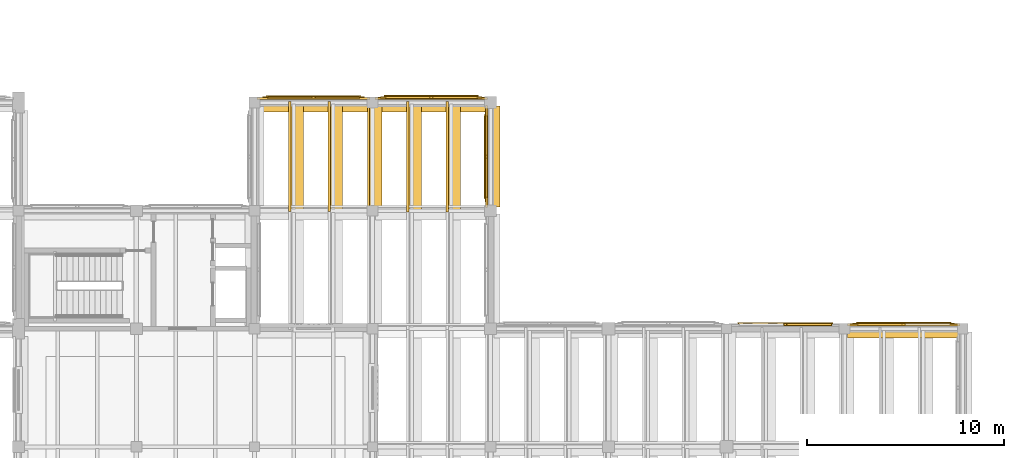
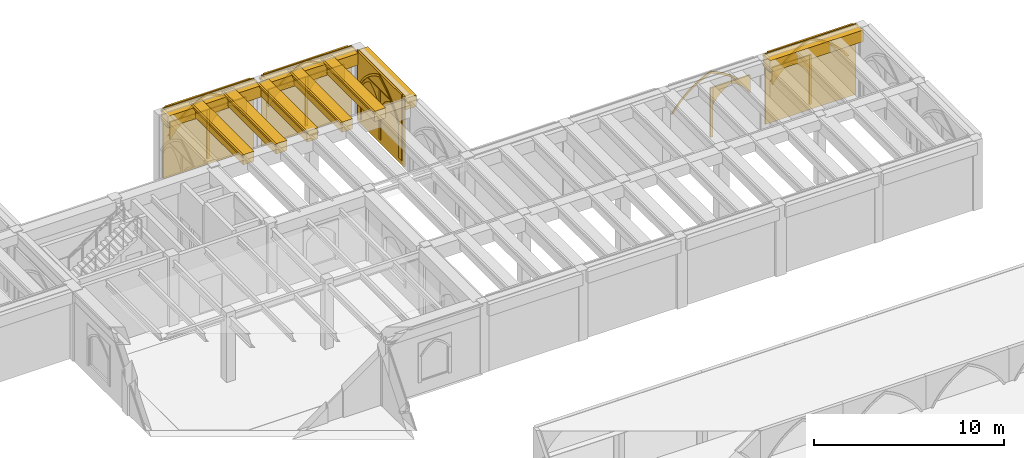
# One storey, part 126 of 127: 44 coverings.
"""IFC4 building model written with IfcOpenShell, lengths in metres."""

from ifc_helpers import new_model, si_unit, direction, frame, origin, origin_2d, place, context, subcontext, project, spatial, polyline, rectangle, outline, extrude, material, type_object, element, save


model = new_model("IFC4")

# Units and contexts
model_context = context("Model", 3, precision=1e-05, world=origin(), true_north=direction((0.0, 1.0)))
body_context = subcontext(model_context, "Body", "Model", "MODEL_VIEW")
ifc_project = project(units=[si_unit("LENGTHUNIT", "METRE"), si_unit("AREAUNIT", "SQUARE_METRE"), si_unit("VOLUMEUNIT", "CUBIC_METRE"), si_unit("PLANEANGLEUNIT", "RADIAN"), si_unit("MASSUNIT", "GRAM", prefix="KILO")], contexts=[model_context])

# Site, building, storey
site_placement = place(None, origin())
site = spatial("IfcSite", under=ifc_project, at=site_placement, CompositionType="ELEMENT")
building_placement = place(site_placement, origin())
building = spatial("IfcBuilding", under=site, at=building_placement, Name="Cumevento Cable Car Station", CompositionType="ELEMENT")
storey_placement = place(building_placement, frame((0.0, 0.0, 4.5)))
storey = spatial("IfcBuildingStorey", under=building, at=storey_placement, Name="L02", CompositionType="ELEMENT", Elevation=4.5)

# Coverings
ifc_material = material(Name="Gnaisse Facoidal Stone Ashlar 85 MPa", Category="masonry")
covering_type = type_object("IfcCoveringType", Name="Gnaisse Ashlar Cladding CV-CL01", PredefinedType="CLADDING", material=ifc_material)
covering_1_placement = place(storey_placement, frame((163.0, 44.85009765625, 3.722900390625), z_axis=(0.0, 0.0, 1.0), x_axis=(1.0, 0.0, 0.0)))
element("IfcCovering", 1, at=covering_1_placement, inside=storey, type_object=covering_type, Name="Gothic Stone Spandrel Stringcourse sc:0469", PredefinedType="CLADDING", context=body_context, shape_type="SweptSolid", body=[
    extrude(rectangle(XDim=5.68994140625, YDim=0.659912109375, at=origin_2d()), origin(), (0.0, 0.0, 1.0), 0.7470703125),
])
covering_2_placement = place(storey_placement, frame((163.0, 45.20751953125, 4.340087890625), z_axis=(0.0, 0.0, 1.0), x_axis=(1.0, 0.0, 0.0)))
element("IfcCovering", 2, at=covering_2_placement, inside=storey, type_object=covering_type, Name="Gothic Cornice Dripstone Lip sc:0469", PredefinedType="CLADDING", context=body_context, shape_type="SweptSolid", body=[
    extrude(rectangle(XDim=5.72998046875, YDim=0.114990234375, at=origin_2d()), origin(), (0.0, 0.0, 1.0), 0.1298828125),
])
covering_3_placement = place(storey_placement, frame((133.0, 56.35009765625, 3.682861328125), z_axis=(0.0, 0.0, 1.0), x_axis=(1.0, 0.0, 0.0)))
element("IfcCovering", 3, at=covering_3_placement, inside=storey, type_object=covering_type, Name="Gothic Stone Spandrel Stringcourse sc:0485", PredefinedType="CLADDING", context=body_context, shape_type="SweptSolid", body=[
    extrude(rectangle(XDim=5.68994140625, YDim=0.659912109375, at=origin_2d()), origin(), (0.0, 0.0, 1.0), 0.7470703125),
])
covering_4_placement = place(storey_placement, frame((133.0, 56.70751953125, 4.300048828125), z_axis=(0.0, 0.0, 1.0), x_axis=(1.0, 0.0, 0.0)))
element("IfcCovering", 4, at=covering_4_placement, inside=storey, type_object=covering_type, Name="Gothic Cornice Dripstone Lip sc:0485", PredefinedType="CLADDING", context=body_context, shape_type="SweptSolid", body=[
    extrude(rectangle(XDim=5.72998046875, YDim=0.114990234375, at=origin_2d()), origin(), (0.0, 0.0, 1.0), 0.1298828125),
])
covering_5_placement = place(storey_placement, frame((138.987548828125, 56.35009765625, 3.682861328125), z_axis=(0.0, 0.0, 1.0), x_axis=(1.0, 0.0, 0.0)))
element("IfcCovering", 5, at=covering_5_placement, inside=storey, type_object=covering_type, Name="Gothic Stone Spandrel Stringcourse sc:0486", PredefinedType="CLADDING", context=body_context, shape_type="SweptSolid", body=[
    extrude(rectangle(XDim=5.6650390625, YDim=0.659912109375, at=origin_2d()), origin(), (0.0, 0.0, 1.0), 0.7470703125),
])
covering_6_placement = place(storey_placement, frame((138.987548828125, 56.70751953125, 4.300048828125), z_axis=(0.0, 0.0, 1.0), x_axis=(1.0, 0.0, 0.0)))
element("IfcCovering", 6, at=covering_6_placement, inside=storey, type_object=covering_type, Name="Gothic Cornice Dripstone Lip sc:0486", PredefinedType="CLADDING", context=body_context, shape_type="SweptSolid", body=[
    extrude(rectangle(XDim=5.705078125, YDim=0.114990234375, at=origin_2d()), origin(), (0.0, 0.0, 1.0), 0.1298828125),
])
covering_7_placement = place(storey_placement, frame((136.148681640625, 53.75, 3.73583984375), z_axis=(0.0, 0.0, 1.0), x_axis=(0.0, 1.0, 0.0)))
element("IfcCovering", 7, at=covering_7_placement, inside=storey, type_object=covering_type, Name="Gothic Stone Spandrel Stringcourse sc:0489", PredefinedType="CLADDING", context=body_context, shape_type="SweptSolid", body=[
    extrude(rectangle(XDim=5.18994140625, YDim=0.66259765625, at=origin_2d()), origin(), (0.0, 0.0, 1.0), 0.694091796875),
])
covering_8_placement = place(storey_placement, frame((135.7900390625, 53.75, 4.300048828125), z_axis=(0.0, 0.0, 1.0), x_axis=(0.0, 1.0, 0.0)))
element("IfcCovering", 8, at=covering_8_placement, inside=storey, type_object=covering_type, Name="Gothic Cornice Dripstone Lip sc:0489", PredefinedType="CLADDING", context=body_context, shape_type="SweptSolid", body=[
    extrude(rectangle(XDim=5.22998046875, YDim=0.114990234375, at=origin_2d()), origin(), (0.0, 0.0, 1.0), 0.1298828125),
])
covering_9_placement = place(storey_placement, frame((142.14990234375, 53.75, 3.682861328125), z_axis=(0.0, 0.0, 1.0), x_axis=(0.0, 1.0, 0.0)))
element("IfcCovering", 9, at=covering_9_placement, inside=storey, type_object=covering_type, Name="Gothic Stone Spandrel Stringcourse sc:0491", PredefinedType="CLADDING", context=body_context, shape_type="SweptSolid", body=[
    extrude(rectangle(XDim=5.139892578125, YDim=0.659912109375, at=origin_2d()), origin(), (0.0, 0.0, 1.0), 0.7470703125),
])
covering_10_placement = place(storey_placement, frame((141.79248046875, 53.75, 4.300048828125), z_axis=(0.0, 0.0, 1.0), x_axis=(0.0, 1.0, 0.0)))
element("IfcCovering", 10, at=covering_10_placement, inside=storey, type_object=covering_type, Name="Gothic Cornice Dripstone Lip sc:0491", PredefinedType="CLADDING", context=body_context, shape_type="SweptSolid", body=[
    extrude(rectangle(XDim=5.179931640625, YDim=0.114990234375, at=origin_2d()), origin(), (0.0, 0.0, 1.0), 0.1298828125),
])
covering_11_placement = place(storey_placement, frame((132.14990234375, 53.75830078125, 3.77294921875), z_axis=(0.0, 0.0, 1.0), x_axis=(0.0, 1.0, 0.0)))
element("IfcCovering", 11, at=covering_11_placement, inside=storey, type_object=covering_type, Name="Gothic Stone Spandrel Stringcourse sc:0573", PredefinedType="CLADDING", context=body_context, shape_type="SweptSolid", body=[
    extrude(rectangle(XDim=5.569580078125, YDim=0.659912109375, at=origin_2d()), origin(), (0.0, 0.0, 1.0), 0.656982421875),
])
covering_12_placement = place(storey_placement, frame((131.79248046875, 53.75830078125, 4.300048828125), z_axis=(0.0, 0.0, 1.0), x_axis=(0.0, 1.0, 0.0)))
element("IfcCovering", 12, at=covering_12_placement, inside=storey, type_object=covering_type, Name="Gothic Cornice Dripstone Lip sc:0573", PredefinedType="CLADDING", context=body_context, shape_type="SweptSolid", body=[
    extrude(rectangle(XDim=5.609619140625, YDim=0.114990234375, at=origin_2d()), origin(), (0.0, 0.0, 1.0), 0.1298828125),
])
covering_13_placement = place(storey_placement, frame((134.14990234375, 53.75830078125, 3.77294921875), z_axis=(0.0, 0.0, 1.0), x_axis=(0.0, 1.0, 0.0)))
element("IfcCovering", 13, at=covering_13_placement, inside=storey, type_object=covering_type, Name="Gothic Stone Spandrel Stringcourse sc:0575", PredefinedType="CLADDING", context=body_context, shape_type="SweptSolid", body=[
    extrude(rectangle(XDim=5.569580078125, YDim=0.659912109375, at=origin_2d()), origin(), (0.0, 0.0, 1.0), 0.656982421875),
])
covering_14_placement = place(storey_placement, frame((133.79248046875, 53.75830078125, 4.300048828125), z_axis=(0.0, 0.0, 1.0), x_axis=(0.0, 1.0, 0.0)))
element("IfcCovering", 14, at=covering_14_placement, inside=storey, type_object=covering_type, Name="Gothic Cornice Dripstone Lip sc:0575", PredefinedType="CLADDING", context=body_context, shape_type="SweptSolid", body=[
    extrude(rectangle(XDim=5.609619140625, YDim=0.114990234375, at=origin_2d()), origin(), (0.0, 0.0, 1.0), 0.1298828125),
])
covering_15_placement = place(storey_placement, frame((138.14990234375, 53.7529296875, 3.77294921875), z_axis=(0.0, 0.0, 1.0), x_axis=(0.0, 1.0, 0.0)))
element("IfcCovering", 15, at=covering_15_placement, inside=storey, type_object=covering_type, Name="Gothic Stone Spandrel Stringcourse sc:0577", PredefinedType="CLADDING", context=body_context, shape_type="SweptSolid", body=[
    extrude(rectangle(XDim=5.580078125, YDim=0.659912109375, at=origin_2d()), origin(), (0.0, 0.0, 1.0), 0.656982421875),
])
covering_16_placement = place(storey_placement, frame((137.79248046875, 53.7529296875, 4.300048828125), z_axis=(0.0, 0.0, 1.0), x_axis=(0.0, 1.0, 0.0)))
element("IfcCovering", 16, at=covering_16_placement, inside=storey, type_object=covering_type, Name="Gothic Cornice Dripstone Lip sc:0577", PredefinedType="CLADDING", context=body_context, shape_type="SweptSolid", body=[
    extrude(rectangle(XDim=5.6201171875, YDim=0.114990234375, at=origin_2d()), origin(), (0.0, 0.0, 1.0), 0.1298828125),
])
covering_17_placement = place(storey_placement, frame((140.14990234375, 53.7529296875, 3.77294921875), z_axis=(0.0, 0.0, 1.0), x_axis=(0.0, 1.0, 0.0)))
element("IfcCovering", 17, at=covering_17_placement, inside=storey, type_object=covering_type, Name="Gothic Stone Spandrel Stringcourse sc:0579", PredefinedType="CLADDING", context=body_context, shape_type="SweptSolid", body=[
    extrude(rectangle(XDim=5.580078125, YDim=0.659912109375, at=origin_2d()), origin(), (0.0, 0.0, 1.0), 0.656982421875),
])
covering_18_placement = place(storey_placement, frame((139.79248046875, 53.7529296875, 4.300048828125), z_axis=(0.0, 0.0, 1.0), x_axis=(0.0, 1.0, 0.0)))
element("IfcCovering", 18, at=covering_18_placement, inside=storey, type_object=covering_type, Name="Gothic Cornice Dripstone Lip sc:0579", PredefinedType="CLADDING", context=body_context, shape_type="SweptSolid", body=[
    extrude(rectangle(XDim=5.6201171875, YDim=0.114990234375, at=origin_2d()), origin(), (0.0, 0.0, 1.0), 0.1298828125),
])
covering_19_placement = place(storey_placement, frame((154.429931640625, 45.0, 2.52001953125), z_axis=(0.0, 0.0, 1.0), x_axis=(1.0, 0.0, 0.0)))
element("IfcCovering", 19, at=covering_19_placement, inside=storey, type_object=covering_type, Name="Gothic Pointed Archivolt Hood Moulding blind_ogival:0096", PredefinedType="CLADDING", context=body_context, shape_type="SweptSolid", body=[
    extrude(outline(polyline([(0.260009765625, 0.0), (0.51416015625, 0.338623046875), (0.797119140625, 0.653564453125), (1.106201171875, 0.94287109375), (1.439697265625, 1.203857421875), (1.79443359375, 1.434814453125), (2.16796875, 1.634033203125), (2.5576171875, 1.800048828125), (2.947021484375, 1.634033203125), (3.320556640625, 1.434814453125), (3.67529296875, 1.203857421875), (4.0087890625, 0.94287109375), (4.31787109375, 0.653564453125), (4.600830078125, 0.338623046875), (4.85498046875, 0.0), (4.97607421875, 0.0), (4.71240234375, 0.365966796875), (4.417236328125, 0.70703125), (4.0927734375, 1.0205078125), (3.74169921875, 1.3037109375), (3.36669921875, 1.554443359375), (2.970947265625, 1.77099609375), (2.5576171875, 1.951171875), (2.14404296875, 1.77099609375), (1.748291015625, 1.554443359375), (1.373291015625, 1.3037109375), (1.022216796875, 1.0205078125), (0.69775390625, 0.70703125), (0.402587890625, 0.365966796875), (0.138916015625, 0.0), (0.260009765625, 0.0)])), frame((0.0, 0.31201171875, 0.0), z_axis=(0.0, -1.0, 0.0), x_axis=(1.0, 0.0, 0.0)), (0.0, 0.0, 1.0), 0.06689453125),
])
covering_20_placement = place(storey_placement, frame((154.429931640625, 45.0, 0.300048828125), z_axis=(0.0, 0.0, 1.0), x_axis=(1.0, 0.0, 0.0)))
element("IfcCovering", 20, at=covering_20_placement, inside=storey, type_object=covering_type, Name="Gothic Bifora Stone Colonnette blind_ogival:0096 #1", PredefinedType="CLADDING", context=body_context, shape_type="SweptSolid", body=[
    extrude(outline(polyline([(2.482421875, -0.02001953125), (2.632568359375, -0.02001953125), (2.632568359375, 3.156005859375), (2.482421875, 3.156005859375), (2.482421875, -0.02001953125)])), frame((0.0, 0.258056640625, 0.0), z_axis=(0.0, -1.0, 0.0), x_axis=(1.0, 0.0, 0.0)), (0.0, 0.0, 1.0), 0.094970703125),
])
covering_21_placement = place(storey_placement, frame((157.032470703125, 45.0, 2.340087890625), z_axis=(0.0, 0.0, 1.0), x_axis=(1.0, 0.0, 0.0)))
element("IfcCovering", 21, at=covering_21_placement, inside=storey, type_object=covering_type, Name="Gothic Ogival Pointed-Arch Stone Spandrel blind_ogival:0096:sub:1", PredefinedType="CLADDING", context=body_context, shape_type="SweptSolid", body=[
    extrude(outline(polyline([(-0.02001953125, 0.0), (-0.02001953125, 1.115966796875), (2.302490234375, 1.115966796875), (2.302490234375, 0.0), (2.242431640625, 0.0), (2.10986328125, 0.21435546875), (1.9541015625, 0.41259765625), (1.77685546875, 0.592041015625), (1.58056640625, 0.750244140625), (1.367919921875, 0.885498046875), (1.141357421875, 0.99609375), (0.91455078125, 0.885498046875), (0.701904296875, 0.750244140625), (0.505615234375, 0.592041015625), (0.328369140625, 0.41259765625), (0.172607421875, 0.21435546875), (0.0400390625, 0.0), (-0.02001953125, 0.0)])), frame((0.0, 0.25390625, 0.0), z_axis=(0.0, -1.0, 0.0), x_axis=(1.0, 0.0, 0.0)), (0.0, 0.0, 1.0), 0.090087890625),
])
covering_22_placement = place(storey_placement, frame((160.27490234375, 45.0, 0.0), z_axis=(0.0, 0.0, 1.0), x_axis=(1.0, 0.0, 0.0)))
element("IfcCovering", 22, at=covering_22_placement, inside=storey, type_object=covering_type, Name="Exterior Gnaisse Stone Wall Ashlar #97", PredefinedType="CLADDING", context=body_context, shape_type="SweptSolid", body=[
    extrude(outline(polyline([(-0.0400390625, -0.02001953125), (5.489990234375, -0.02001953125), (5.489990234375, 4.52001953125), (-0.0400390625, 4.52001953125), (-0.0400390625, -0.02001953125)])), frame((0.0, 0.22509765625, 0.0), z_axis=(0.0, -1.0, 0.0), x_axis=(1.0, 0.0, 0.0)), (0.0, 0.0, 1.0), 0.0849609375),
])
placement_1 = place(storey_placement, frame((160.455078125, 45.0, 0.300048828125), z_axis=(0.0, 0.0, 1.0), x_axis=(1.0, 0.0, 0.0)))
element("IfcCovering", 23, at=placement_1, inside=storey, type_object=covering_type, Name="Gothic Ogival Pointed-Arch Stone Spandrel blind_ogival:0097", PredefinedType="CLADDING", context=body_context, shape_type="SweptSolid", body=[
    extrude(outline(polyline([(-0.050048828125, 0.0), (-0.050048828125, 4.239990234375), (5.139892578125, 4.239990234375), (5.139892578125, 0.0), (4.830078125, 0.0), (4.830078125, 2.219970703125), (4.577880859375, 2.558349609375), (4.297119140625, 2.873291015625), (3.98974609375, 3.16259765625), (3.658203125, 3.423583984375), (3.30517578125, 3.65478515625), (2.93310546875, 3.85400390625), (2.544921875, 4.02001953125), (2.156982421875, 3.85400390625), (1.784912109375, 3.65478515625), (1.431884765625, 3.423583984375), (1.100341796875, 3.16259765625), (0.79296875, 2.873291015625), (0.51220703125, 2.558349609375), (0.260009765625, 2.219970703125), (0.260009765625, 0.0), (-0.050048828125, 0.0)])), frame((0.0, 0.280029296875, 0.0), z_axis=(0.0, -1.0, 0.0), x_axis=(1.0, 0.0, 0.0)), (0.0, 0.0, 1.0), 0.110107421875),
])
covering_24_placement = place(storey_placement, frame((160.455078125, 45.0, 2.52001953125), z_axis=(0.0, 0.0, 1.0), x_axis=(1.0, 0.0, 0.0)))
element("IfcCovering", 24, at=covering_24_placement, inside=storey, type_object=covering_type, Name="Gothic Pointed Archivolt Hood Moulding blind_ogival:0097", PredefinedType="CLADDING", context=body_context, shape_type="SweptSolid", body=[
    extrude(outline(polyline([(0.260009765625, 0.0), (0.51220703125, 0.33837890625), (0.79296875, 0.6533203125), (1.100341796875, 0.942626953125), (1.431884765625, 1.20361328125), (1.784912109375, 1.434814453125), (2.156982421875, 1.634033203125), (2.544921875, 1.800048828125), (2.93310546875, 1.634033203125), (3.30517578125, 1.434814453125), (3.658203125, 1.20361328125), (3.98974609375, 0.942626953125), (4.297119140625, 0.6533203125), (4.577880859375, 0.33837890625), (4.830078125, 0.0), (4.950927734375, 0.0), (4.689453125, 0.36572265625), (4.396240234375, 0.706787109375), (4.07373046875, 1.020263671875), (3.724365234375, 1.303466796875), (3.351318359375, 1.554443359375), (2.95703125, 1.770751953125), (2.544921875, 1.951171875), (2.133056640625, 1.770751953125), (1.73876953125, 1.554443359375), (1.36572265625, 1.303466796875), (1.016357421875, 1.020263671875), (0.69384765625, 0.706787109375), (0.400634765625, 0.36572265625), (0.138916015625, 0.0), (0.260009765625, 0.0)])), frame((0.0, 0.322021484375, 0.0), z_axis=(0.0, -1.0, 0.0), x_axis=(1.0, 0.0, 0.0)), (0.0, 0.0, 1.0), 0.06689453125),
])
element("IfcCovering", 25, at=placement_1, inside=storey, type_object=covering_type, Name="Gothic Bifora Stone Colonnette blind_ogival:0097 #1", PredefinedType="CLADDING", context=body_context, shape_type="SweptSolid", body=[
    extrude(outline(polyline([(2.469970703125, -0.02001953125), (2.6201171875, -0.02001953125), (2.6201171875, 3.156005859375), (2.469970703125, 3.156005859375), (2.469970703125, -0.02001953125)])), frame((0.0, 0.26806640625, 0.0), z_axis=(0.0, -1.0, 0.0), x_axis=(1.0, 0.0, 0.0)), (0.0, 0.0, 1.0), 0.094970703125),
])
covering_26_placement = place(storey_placement, frame((160.68505859375, 45.0, 2.340087890625), z_axis=(0.0, 0.0, 1.0), x_axis=(1.0, 0.0, 0.0)))
element("IfcCovering", 26, at=covering_26_placement, inside=storey, type_object=covering_type, Name="Gothic Ogival Pointed-Arch Stone Spandrel blind_ogival:0097:sub:0", PredefinedType="CLADDING", context=body_context, shape_type="SweptSolid", body=[
    extrude(outline(polyline([(-0.02001953125, 0.0), (-0.02001953125, 1.115966796875), (2.2900390625, 1.115966796875), (2.2900390625, 0.0), (2.22998046875, 0.0), (2.0986328125, 0.21435546875), (1.944091796875, 0.412353515625), (1.767822265625, 0.591796875), (1.57275390625, 0.750244140625), (1.36083984375, 0.885498046875), (1.135009765625, 0.99609375), (0.9091796875, 0.885498046875), (0.697265625, 0.750244140625), (0.502197265625, 0.591796875), (0.325927734375, 0.412353515625), (0.17138671875, 0.21435546875), (0.0400390625, 0.0), (-0.02001953125, 0.0)])), frame((0.0, 0.263916015625, 0.0), z_axis=(0.0, -1.0, 0.0), x_axis=(1.0, 0.0, 0.0)), (0.0, 0.0, 1.0), 0.090087890625),
])
covering_27_placement = place(storey_placement, frame((130.27490234375, 56.5, 0.0), z_axis=(0.0, 0.0, 1.0), x_axis=(1.0, 0.0, 0.0)))
element("IfcCovering", 27, at=covering_27_placement, inside=storey, type_object=covering_type, Name="Exterior Gnaisse Stone Wall Ashlar #105", PredefinedType="CLADDING", context=body_context, shape_type="SweptSolid", body=[
    extrude(outline(polyline([(-0.0400390625, -0.02001953125), (5.489990234375, -0.02001953125), (5.489990234375, 4.52001953125), (-0.0400390625, 4.52001953125), (-0.0400390625, -0.02001953125)])), frame((0.0, 0.25, 0.0), z_axis=(0.0, -1.0, 0.0), x_axis=(1.0, 0.0, 0.0)), (0.0, 0.0, 1.0), 0.0849609375),
])
placement_2 = place(storey_placement, frame((130.455078125, 56.5, 0.300048828125), z_axis=(0.0, 0.0, 1.0), x_axis=(1.0, 0.0, 0.0)))
element("IfcCovering", 28, at=placement_2, inside=storey, type_object=covering_type, Name="Gothic Ogival Pointed-Arch Stone Spandrel blind_ogival:0105", PredefinedType="CLADDING", context=body_context, shape_type="SweptSolid", body=[
    extrude(outline(polyline([(-0.050048828125, 0.0), (-0.050048828125, 4.239990234375), (5.139892578125, 4.239990234375), (5.139892578125, 0.0), (4.830078125, 0.0), (4.830078125, 2.219970703125), (4.577880859375, 2.558349609375), (4.297119140625, 2.873291015625), (3.98974609375, 3.16259765625), (3.658203125, 3.423583984375), (3.30517578125, 3.65478515625), (2.93310546875, 3.85400390625), (2.544921875, 4.02001953125), (2.156982421875, 3.85400390625), (1.784912109375, 3.65478515625), (1.431884765625, 3.423583984375), (1.100341796875, 3.16259765625), (0.79296875, 2.873291015625), (0.51220703125, 2.558349609375), (0.260009765625, 2.219970703125), (0.260009765625, 0.0), (-0.050048828125, 0.0)])), frame((0.0, 0.304931640625, 0.0), z_axis=(0.0, -1.0, 0.0), x_axis=(1.0, 0.0, 0.0)), (0.0, 0.0, 1.0), 0.110107421875),
])
covering_29_placement = place(storey_placement, frame((130.455078125, 56.5, 2.52001953125), z_axis=(0.0, 0.0, 1.0), x_axis=(1.0, 0.0, 0.0)))
element("IfcCovering", 29, at=covering_29_placement, inside=storey, type_object=covering_type, Name="Gothic Pointed Archivolt Hood Moulding blind_ogival:0105", PredefinedType="CLADDING", context=body_context, shape_type="SweptSolid", body=[
    extrude(outline(polyline([(0.260009765625, 0.0), (0.51220703125, 0.33837890625), (0.79296875, 0.6533203125), (1.100341796875, 0.942626953125), (1.431884765625, 1.20361328125), (1.784912109375, 1.434814453125), (2.156982421875, 1.634033203125), (2.544921875, 1.800048828125), (2.93310546875, 1.634033203125), (3.30517578125, 1.434814453125), (3.658203125, 1.20361328125), (3.98974609375, 0.942626953125), (4.297119140625, 0.6533203125), (4.577880859375, 0.33837890625), (4.830078125, 0.0), (4.950927734375, 0.0), (4.689453125, 0.36572265625), (4.396240234375, 0.706787109375), (4.07373046875, 1.020263671875), (3.724365234375, 1.303466796875), (3.351318359375, 1.554443359375), (2.95703125, 1.770751953125), (2.544921875, 1.951171875), (2.133056640625, 1.770751953125), (1.73876953125, 1.554443359375), (1.36572265625, 1.303466796875), (1.016357421875, 1.020263671875), (0.69384765625, 0.706787109375), (0.400634765625, 0.36572265625), (0.138916015625, 0.0), (0.260009765625, 0.0)])), frame((0.0, 0.346923828125, 0.0), z_axis=(0.0, -1.0, 0.0), x_axis=(1.0, 0.0, 0.0)), (0.0, 0.0, 1.0), 0.06689453125),
])
element("IfcCovering", 30, at=placement_2, inside=storey, type_object=covering_type, Name="Gothic Bifora Stone Colonnette blind_ogival:0105 #1", PredefinedType="CLADDING", context=body_context, shape_type="SweptSolid", body=[
    extrude(outline(polyline([(2.469970703125, -0.02001953125), (2.6201171875, -0.02001953125), (2.6201171875, 3.156005859375), (2.469970703125, 3.156005859375), (2.469970703125, -0.02001953125)])), frame((0.0, 0.29296875, 0.0), z_axis=(0.0, -1.0, 0.0), x_axis=(1.0, 0.0, 0.0)), (0.0, 0.0, 1.0), 0.094970703125),
])
for number, where, z_axis, x_axis, name in (
    (31, (130.68505859375, 56.5, 2.340087890625), (0.0, 0.0, 1.0), (1.0, 0.0, 0.0), "Gothic Ogival Pointed-Arch Stone Spandrel blind_ogival:0105:sub:0"),
    (32, (133.044921875, 56.5, 2.340087890625), (0.0, 0.0, 1.0), (1.0, 0.0, 0.0), "Gothic Ogival Pointed-Arch Stone Spandrel blind_ogival:0105:sub:1"),
):
    element("IfcCovering", number, at=place(storey_placement, frame(where, z_axis=z_axis, x_axis=x_axis)), inside=storey, type_object=covering_type, Name=name, PredefinedType="CLADDING", context=body_context, shape_type="SweptSolid", body=[
        extrude(outline(polyline([(-0.02001953125, 0.0), (-0.02001953125, 1.115966796875), (2.2900390625, 1.115966796875), (2.2900390625, 0.0), (2.22998046875, 0.0), (2.0986328125, 0.21435546875), (1.944091796875, 0.412353515625), (1.767822265625, 0.591796875), (1.57275390625, 0.750244140625), (1.36083984375, 0.885498046875), (1.135009765625, 0.99609375), (0.9091796875, 0.885498046875), (0.697265625, 0.750244140625), (0.502197265625, 0.591796875), (0.325927734375, 0.412353515625), (0.17138671875, 0.21435546875), (0.0400390625, 0.0), (-0.02001953125, 0.0)])), frame((0.0, 0.2890625, 0.0), z_axis=(0.0, -1.0, 0.0), x_axis=(1.0, 0.0, 0.0)), (0.0, 0.0, 1.0), 0.090087890625),
    ])
covering_31_placement = place(storey_placement, frame((136.27490234375, 56.5, 0.0), z_axis=(0.0, 0.0, 1.0), x_axis=(1.0, 0.0, 0.0)))
element("IfcCovering", 33, at=covering_31_placement, inside=storey, type_object=covering_type, Name="Exterior Gnaisse Stone Wall Ashlar #106", PredefinedType="CLADDING", context=body_context, shape_type="SweptSolid", body=[
    extrude(outline(polyline([(-0.0400390625, -0.02001953125), (5.465087890625, -0.02001953125), (5.465087890625, 4.52001953125), (-0.0400390625, 4.52001953125), (-0.0400390625, -0.02001953125)])), frame((0.0, 0.262451171875, 0.0), z_axis=(0.0, -1.0, 0.0), x_axis=(1.0, 0.0, 0.0)), (0.0, 0.0, 1.0), 0.0849609375),
])
placement_3 = place(storey_placement, frame((136.455078125, 56.5, 0.300048828125), z_axis=(0.0, 0.0, 1.0), x_axis=(1.0, 0.0, 0.0)))
element("IfcCovering", 34, at=placement_3, inside=storey, type_object=covering_type, Name="Gothic Ogival Pointed-Arch Stone Spandrel blind_ogival:0106", PredefinedType="CLADDING", context=body_context, shape_type="SweptSolid", body=[
    extrude(outline(polyline([(-0.050048828125, 0.0), (-0.050048828125, 4.239990234375), (5.114990234375, 4.239990234375), (5.114990234375, 0.0), (4.804931640625, 0.0), (4.804931640625, 2.219970703125), (4.554931640625, 2.55810546875), (4.27587890625, 2.873046875), (3.970458984375, 3.162109375), (3.640625, 3.42333984375), (3.289306640625, 3.654541015625), (2.9189453125, 3.85400390625), (2.532470703125, 4.02001953125), (2.14599609375, 3.85400390625), (1.775634765625, 3.654541015625), (1.42431640625, 3.42333984375), (1.094482421875, 3.162109375), (0.7890625, 2.873046875), (0.510009765625, 2.55810546875), (0.260009765625, 2.219970703125), (0.260009765625, 0.0), (-0.050048828125, 0.0)])), frame((0.0, 0.3173828125, 0.0), z_axis=(0.0, -1.0, 0.0), x_axis=(1.0, 0.0, 0.0)), (0.0, 0.0, 1.0), 0.110107421875),
])
covering_33_placement = place(storey_placement, frame((136.455078125, 56.5, 2.52001953125), z_axis=(0.0, 0.0, 1.0), x_axis=(1.0, 0.0, 0.0)))
element("IfcCovering", 35, at=covering_33_placement, inside=storey, type_object=covering_type, Name="Gothic Pointed Archivolt Hood Moulding blind_ogival:0106", PredefinedType="CLADDING", context=body_context, shape_type="SweptSolid", body=[
    extrude(outline(polyline([(0.260009765625, 0.0), (0.510009765625, 0.338134765625), (0.7890625, 0.653076171875), (1.094482421875, 0.942138671875), (1.42431640625, 1.203369140625), (1.775634765625, 1.4345703125), (2.14599609375, 1.634033203125), (2.532470703125, 1.800048828125), (2.9189453125, 1.634033203125), (3.289306640625, 1.4345703125), (3.640625, 1.203369140625), (3.970458984375, 0.942138671875), (4.27587890625, 0.653076171875), (4.554931640625, 0.338134765625), (4.804931640625, 0.0), (4.926025390625, 0.0), (4.66650390625, 0.36572265625), (4.375244140625, 0.70654296875), (4.054443359375, 1.019775390625), (3.70703125, 1.30322265625), (3.33544921875, 1.55419921875), (2.94287109375, 1.770751953125), (2.532470703125, 1.951171875), (2.1220703125, 1.770751953125), (1.7294921875, 1.55419921875), (1.35791015625, 1.30322265625), (1.010498046875, 1.019775390625), (0.689697265625, 0.70654296875), (0.3984375, 0.36572265625), (0.138916015625, 0.0), (0.260009765625, 0.0)])), frame((0.0, 0.359619140625, 0.0), z_axis=(0.0, -1.0, 0.0), x_axis=(1.0, 0.0, 0.0)), (0.0, 0.0, 1.0), 0.06689453125),
])
element("IfcCovering", 36, at=placement_3, inside=storey, type_object=covering_type, Name="Gothic Bifora Stone Colonnette blind_ogival:0106 #1", PredefinedType="CLADDING", context=body_context, shape_type="SweptSolid", body=[
    extrude(outline(polyline([(2.45751953125, -0.02001953125), (2.607421875, -0.02001953125), (2.607421875, 3.156005859375), (2.45751953125, 3.156005859375), (2.45751953125, -0.02001953125)])), frame((0.0, 0.305419921875, 0.0), z_axis=(0.0, -1.0, 0.0), x_axis=(1.0, 0.0, 0.0)), (0.0, 0.0, 1.0), 0.094970703125),
])
for number, where, z_axis, x_axis, name in (
    (37, (136.68505859375, 56.5, 2.340087890625), (0.0, 0.0, 1.0), (1.0, 0.0, 0.0), "Gothic Ogival Pointed-Arch Stone Spandrel blind_ogival:0106:sub:0"),
    (38, (139.032470703125, 56.5, 2.340087890625), (0.0, 0.0, 1.0), (1.0, 0.0, 0.0), "Gothic Ogival Pointed-Arch Stone Spandrel blind_ogival:0106:sub:1"),
):
    element("IfcCovering", number, at=place(storey_placement, frame(where, z_axis=z_axis, x_axis=x_axis)), inside=storey, type_object=covering_type, Name=name, PredefinedType="CLADDING", context=body_context, shape_type="SweptSolid", body=[
        extrude(outline(polyline([(-0.02001953125, 0.0), (-0.02001953125, 1.115966796875), (2.277587890625, 1.115966796875), (2.277587890625, 0.0), (2.217529296875, 0.0), (2.08740234375, 0.214111328125), (1.933837890625, 0.412353515625), (1.7587890625, 0.591796875), (1.564697265625, 0.75), (1.353759765625, 0.885498046875), (1.128662109375, 0.99609375), (0.90380859375, 0.885498046875), (0.69287109375, 0.75), (0.498779296875, 0.591796875), (0.32373046875, 0.412353515625), (0.170166015625, 0.214111328125), (0.0400390625, 0.0), (-0.02001953125, 0.0)])), frame((0.0, 0.301513671875, 0.0), z_axis=(0.0, -1.0, 0.0), x_axis=(1.0, 0.0, 0.0)), (0.0, 0.0, 1.0), 0.090087890625),
    ])
covering_35_placement = place(storey_placement, frame((142.0, 51.300048828125, 0.0), z_axis=(0.0, 0.0, 1.0), x_axis=(0.0, 1.0, 0.0)))
element("IfcCovering", 39, at=covering_35_placement, inside=storey, type_object=covering_type, Name="Exterior Gnaisse Stone Wall Ashlar #109", PredefinedType="CLADDING", context=body_context, shape_type="SweptSolid", body=[
    extrude(outline(polyline([(-0.0400390625, -0.02001953125), (4.93994140625, -0.02001953125), (4.93994140625, 4.52001953125), (-0.0400390625, 4.52001953125), (-0.0400390625, -0.02001953125)])), frame((0.0, 0.22509765625, 0.0), z_axis=(0.0, -1.0, 0.0), x_axis=(1.0, 0.0, 0.0)), (0.0, 0.0, 1.0), 0.0849609375),
])
placement_4 = place(storey_placement, frame((142.0, 51.47998046875, 0.300048828125), z_axis=(0.0, 0.0, 1.0), x_axis=(0.0, 1.0, 0.0)))
element("IfcCovering", 40, at=placement_4, inside=storey, type_object=covering_type, Name="Gothic Ogival Pointed-Arch Stone Spandrel blind_ogival:0109", PredefinedType="CLADDING", context=body_context, shape_type="SweptSolid", body=[
    extrude(outline(polyline([(-0.050048828125, 0.0), (-0.050048828125, 4.239990234375), (4.590087890625, 4.239990234375), (4.590087890625, 0.0), (4.280029296875, 0.0), (4.280029296875, 2.219970703125), (4.073974609375, 2.55419921875), (3.8369140625, 2.8671875), (3.57080078125, 3.156005859375), (3.2783203125, 3.41796875), (2.9619140625, 3.650634765625), (2.625, 3.851806640625), (2.27001953125, 4.02001953125), (1.9150390625, 3.851806640625), (1.578125, 3.650634765625), (1.26171875, 3.41796875), (0.96923828125, 3.156005859375), (0.703125, 2.8671875), (0.466064453125, 2.55419921875), (0.260009765625, 2.219970703125), (0.260009765625, 0.0), (-0.050048828125, 0.0)])), frame((0.0, 0.280029296875, 0.0), z_axis=(0.0, -1.0, 0.0), x_axis=(1.0, 0.0, 0.0)), (0.0, 0.0, 1.0), 0.110107421875),
])
covering_37_placement = place(storey_placement, frame((142.0, 51.47998046875, 2.52001953125), z_axis=(0.0, 0.0, 1.0), x_axis=(0.0, 1.0, 0.0)))
element("IfcCovering", 41, at=covering_37_placement, inside=storey, type_object=covering_type, Name="Gothic Pointed Archivolt Hood Moulding blind_ogival:0109", PredefinedType="CLADDING", context=body_context, shape_type="SweptSolid", body=[
    extrude(outline(polyline([(0.260009765625, 0.0), (0.466064453125, 0.334228515625), (0.703125, 0.647216796875), (0.96923828125, 0.93603515625), (1.26171875, 1.197998046875), (1.578125, 1.4306640625), (1.9150390625, 1.6318359375), (2.27001953125, 1.800048828125), (2.625, 1.6318359375), (2.9619140625, 1.4306640625), (3.2783203125, 1.197998046875), (3.57080078125, 0.93603515625), (3.8369140625, 0.647216796875), (4.073974609375, 0.334228515625), (4.280029296875, 0.0), (4.40087890625, 0.0), (4.185791015625, 0.361572265625), (3.936279296875, 0.7001953125), (3.6552734375, 1.01318359375), (3.344970703125, 1.29736328125), (3.008544921875, 1.550048828125), (2.64892578125, 1.7685546875), (2.27001953125, 1.951171875), (1.89111328125, 1.7685546875), (1.531494140625, 1.550048828125), (1.195068359375, 1.29736328125), (0.884765625, 1.01318359375), (0.603759765625, 0.7001953125), (0.354248046875, 0.361572265625), (0.138916015625, 0.0), (0.260009765625, 0.0)])), frame((0.0, 0.322021484375, 0.0), z_axis=(0.0, -1.0, 0.0), x_axis=(1.0, 0.0, 0.0)), (0.0, 0.0, 1.0), 0.06689453125),
])
element("IfcCovering", 42, at=placement_4, inside=storey, type_object=covering_type, Name="Gothic Bifora Stone Colonnette blind_ogival:0109 #1", PredefinedType="CLADDING", context=body_context, shape_type="SweptSolid", body=[
    extrude(outline(polyline([(2.195068359375, -0.02001953125), (2.344970703125, -0.02001953125), (2.344970703125, 3.156005859375), (2.195068359375, 3.156005859375), (2.195068359375, -0.02001953125)])), frame((0.0, 0.26806640625, 0.0), z_axis=(0.0, -1.0, 0.0), x_axis=(1.0, 0.0, 0.0)), (0.0, 0.0, 1.0), 0.094970703125),
])
for number, where, z_axis, x_axis, name in (
    (43, (142.0, 51.7099609375, 2.340087890625), (0.0, 0.0, 1.0), (0.0, 1.0, 0.0), "Gothic Ogival Pointed-Arch Stone Spandrel blind_ogival:0109:sub:0"),
    (44, (142.0, 53.794921875, 2.340087890625), (0.0, 0.0, 1.0), (0.0, 1.0, 0.0), "Gothic Ogival Pointed-Arch Stone Spandrel blind_ogival:0109:sub:1"),
):
    element("IfcCovering", number, at=place(storey_placement, frame(where, z_axis=z_axis, x_axis=x_axis)), inside=storey, type_object=covering_type, Name=name, PredefinedType="CLADDING", context=body_context, shape_type="SweptSolid", body=[
        extrude(outline(polyline([(-0.02001953125, 0.0), (-0.02001953125, 1.115966796875), (2.014892578125, 1.115966796875), (2.014892578125, 0.0), (1.955078125, 0.0), (1.851318359375, 0.211181640625), (1.72216796875, 0.408203125), (1.569580078125, 0.587646484375), (1.396240234375, 0.7470703125), (1.20458984375, 0.8837890625), (0.99755859375, 0.99609375), (0.79052734375, 0.8837890625), (0.598876953125, 0.7470703125), (0.425537109375, 0.587646484375), (0.27294921875, 0.408203125), (0.143798828125, 0.211181640625), (0.0400390625, 0.0), (-0.02001953125, 0.0)])), frame((0.0, 0.263916015625, 0.0), z_axis=(0.0, -1.0, 0.0), x_axis=(1.0, 0.0, 0.0)), (0.0, 0.0, 1.0), 0.090087890625),
    ])

save(model, "model.ifc")
